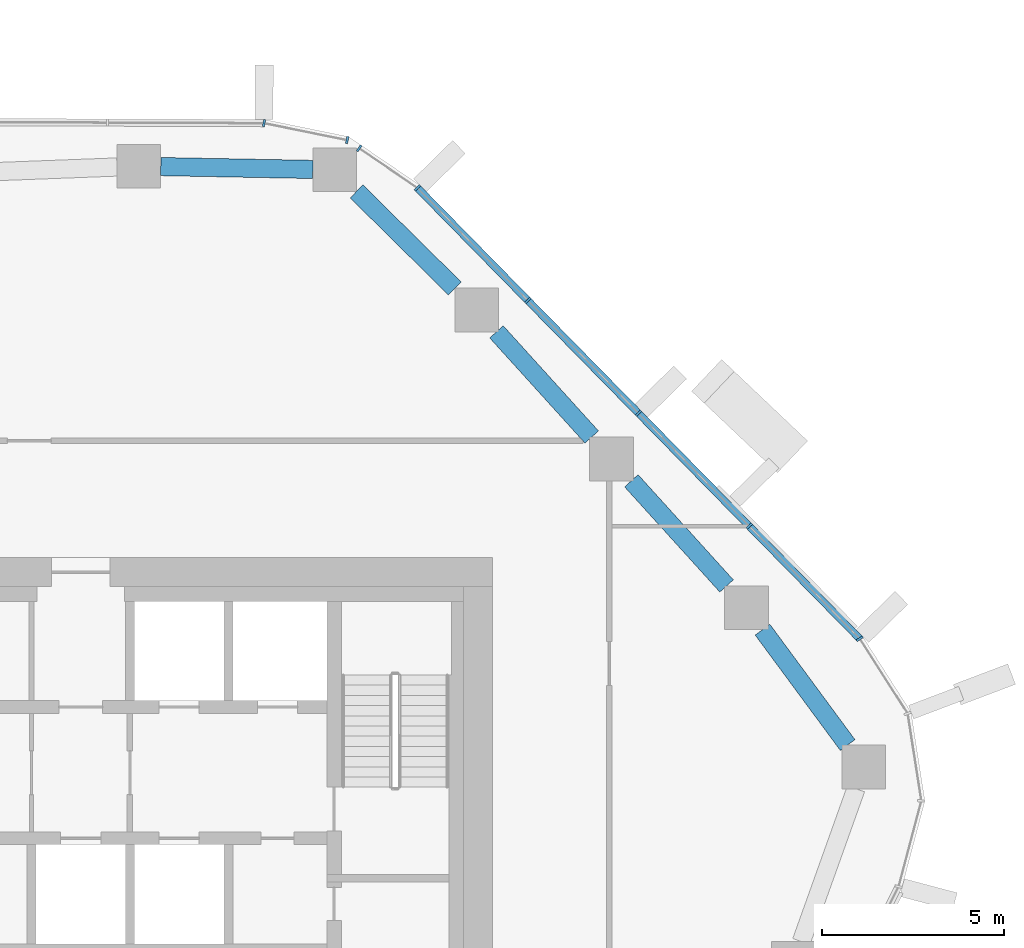
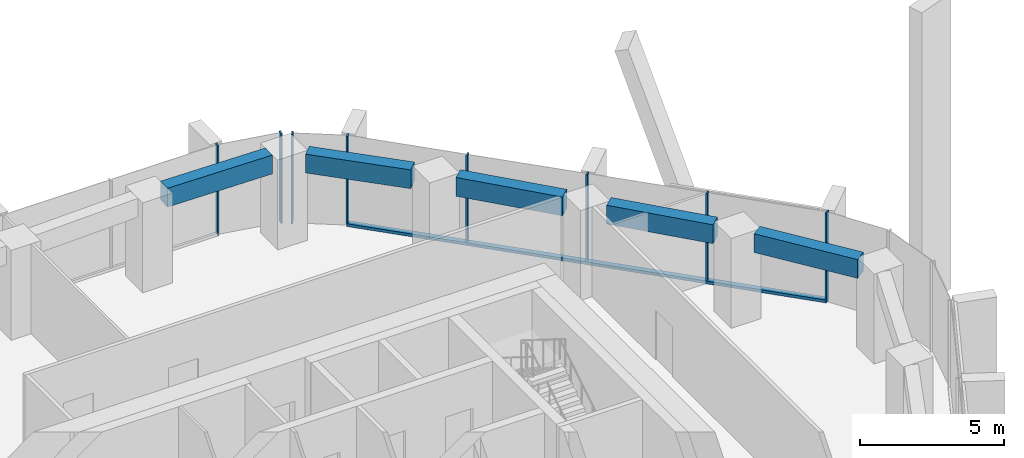
# One storey, part 6 of 19: 9 members, 5 beams, 4 elements without a shape of their own.
"""IFC4 building model written with IfcOpenShell, lengths in metres."""

import ifcopenshell
import ifcopenshell.guid

model = None  # the IFC model being written
_history = None  # IfcOwnerHistory: only IFC2X3 demands one
_inside = {}  # id of a spatial element -> (the spatial element, [elements in it])
_under = {}  # id of a project, library or spatial element -> (it, [spatial elements below it])
_declared = {}  # id of a project -> (the project, [libraries it declares])
_typed = {}  # id of a type object -> (the type object, [elements of that type])
_made_of = {}  # id of a material, layer set ... -> (it, [elements and type objects made of it])


def new_model(schema):
    """Start an empty IFC model of exactly this schema.

    Asked for "IFC4X3", IfcOpenShell would pick the latest addendum, in which some entities
    have other attributes; the version numbers below select the first issue.
    IFC2X3 requires an IfcOwnerHistory on every rooted entity: one is made here for all.
    """
    global model, _history
    if schema == "IFC4X3":
        model = ifcopenshell.file(schema_version=(4, 3, 0, 0))
    else:
        model = ifcopenshell.file(schema=schema)
    _inside.clear()
    _under.clear()
    _declared.clear()
    _typed.clear()
    _made_of.clear()
    _history = None
    if model.schema == "IFC2X3":
        org = make("IfcOrganization", Name="unknown")
        user = make(
            "IfcPersonAndOrganization",
            ThePerson=make("IfcPerson", FamilyName="unknown"),
            TheOrganization=org,
        )
        app = make(
            "IfcApplication",
            ApplicationDeveloper=org,
            Version="unknown",
            ApplicationFullName="unknown",
            ApplicationIdentifier="unknown",
        )
        _history = make(
            "IfcOwnerHistory",
            OwningUser=user,
            OwningApplication=app,
            ChangeAction="ADDED",
            CreationDate=0,
        )
    return model


def make(cls, **values):
    """One entity of the class cls with the attributes given. An attribute that is None is left unset."""
    return model.create_entity(
        cls, **{name: value for name, value in values.items() if value is not None}
    )


def rooted(cls, **values):
    """An entity with a GlobalId (a new one), such as an element, a storey or a relation."""
    return make(cls, GlobalId=ifcopenshell.guid.new(), OwnerHistory=_history, **values)


def si_unit(unit_type, name, prefix=None):
    """IfcSIUnit, for example si_unit("LENGTHUNIT", "METRE", prefix="MILLI")."""
    return make("IfcSIUnit", UnitType=unit_type, Prefix=prefix, Name=name)


def assignment(units):
    """IfcUnitAssignment: the units of a project."""
    return None if units is None else make("IfcUnitAssignment", Units=units)


def point(xyz):
    """IfcCartesianPoint."""
    return None if xyz is None else make("IfcCartesianPoint", Coordinates=xyz)


def direction(xyz):
    """IfcDirection."""
    return None if xyz is None else make("IfcDirection", DirectionRatios=xyz)


def frame(location, z_axis=None, x_axis=None):
    """IfcAxis2Placement3D, a coordinate frame: its origin and axes. An axis left out is left unset."""
    return make(
        "IfcAxis2Placement3D",
        Location=point(location),
        Axis=direction(z_axis),
        RefDirection=direction(x_axis),
    )


def frame_2d(location, x_axis=None):
    """IfcAxis2Placement2D, a coordinate frame in the plane: its origin and x axis."""
    return make(
        "IfcAxis2Placement2D", Location=point(location), RefDirection=direction(x_axis)
    )


def origin():
    """The frame at (0, 0, 0) with its axes left unset."""
    return frame((0.0, 0.0, 0.0))


def origin_2d():
    """The frame at (0, 0) in the plane with its x axis left unset."""
    return frame_2d((0.0, 0.0))


def place(relative_to, where):
    """IfcLocalPlacement: puts the frame where relative to a parent placement (None: the world)."""
    return make(
        "IfcLocalPlacement", PlacementRelTo=relative_to, RelativePlacement=where
    )


def context(
    kind, dimensions, precision=None, world=None, true_north=None, identifier=None
):
    """IfcGeometricRepresentationContext, for example the 3D "Model" context."""
    return make(
        "IfcGeometricRepresentationContext",
        ContextIdentifier=identifier,
        ContextType=kind,
        CoordinateSpaceDimension=dimensions,
        Precision=precision,
        WorldCoordinateSystem=world,
        TrueNorth=true_north,
    )


def subcontext(parent, identifier, kind, view, scale=None):
    """IfcGeometricRepresentationSubContext, for example "Body" below "Model"."""
    return make(
        "IfcGeometricRepresentationSubContext",
        ContextIdentifier=identifier,
        ContextType=kind,
        ParentContext=parent,
        TargetScale=scale,
        TargetView=view,
    )


def project(units=None, contexts=None):
    """IfcProject with its units and contexts."""
    return rooted(
        "IfcProject",
        Name="project",
        RepresentationContexts=contexts,
        UnitsInContext=assignment(units),
    )


def spatial(cls, under=None, at=None, **own):
    """A site, building, storey or space (cls), placed at a placement, below another one or the project."""
    s = rooted(cls, ObjectPlacement=at, **own)
    if under is not None:
        _under.setdefault(under.id(), (under, []))[1].append(s)
    return s


def profile(cls, at=None, kind="AREA", **sizes):
    """A parametric profile (cls). Its sizes go by their IFC names, for example OverallWidth=200.0."""
    return make(cls, ProfileType=kind, Position=at, **sizes)


def rectangle(**sizes):
    """IfcRectangleProfileDef."""
    return profile("IfcRectangleProfileDef", **sizes)


def extrude(swept, where, along, depth):
    """IfcExtrudedAreaSolid: the profile swept, set in the frame where, extruded along a direction by depth."""
    return make(
        "IfcExtrudedAreaSolid",
        SweptArea=swept,
        Position=where,
        ExtrudedDirection=direction(along),
        Depth=depth,
    )


def shape(context_of_items, identifier, shape_type, items):
    """IfcShapeRepresentation: the items that make up one representation, for example the "Body"."""
    return make(
        "IfcShapeRepresentation",
        ContextOfItems=context_of_items,
        RepresentationIdentifier=identifier,
        RepresentationType=shape_type,
        Items=items,
    )


def material(Name=None, Category=None):
    """IfcMaterial."""
    return make("IfcMaterial", Name=Name, Category=Category)


def layer(
    of_material, thickness, ventilated=None, Name=None, Category=None, Priority=None
):
    """IfcMaterialLayer: one layer of a wall or slab, of a material (None: an air gap)."""
    return make(
        "IfcMaterialLayer",
        Material=of_material,
        LayerThickness=thickness,
        IsVentilated=ventilated,
        Name=Name,
        Category=Category,
        Priority=Priority,
    )


def layer_set(layers, Name=None):
    """IfcMaterialLayerSet."""
    return make("IfcMaterialLayerSet", MaterialLayers=layers, LayerSetName=Name)


def material_profile(
    of_material, cross_section, Name=None, Category=None, Priority=None
):
    """IfcMaterialProfile: a cross section and its material."""
    return make(
        "IfcMaterialProfile",
        Name=Name,
        Material=of_material,
        Profile=cross_section,
        Priority=Priority,
        Category=Category,
    )


def profile_set(profiles, Name=None, composite=None):
    """IfcMaterialProfileSet."""
    return make(
        "IfcMaterialProfileSet",
        Name=Name,
        MaterialProfiles=profiles,
        CompositeProfile=composite,
    )


def made_of(thing, what):
    """Note that an element or type object is made of a material, layer set ...; save() writes the relation."""
    if what is not None:
        _made_of.setdefault(what.id(), (what, []))[1].append(thing)
    return thing


def type_object(cls, material=None, **own):
    """A type object (cls), such as IfcWallType, which elements share."""
    return made_of(rooted(cls, **own), material)


def element(
    cls,
    number,
    at=None,
    inside=None,
    cuts=None,
    type_object=None,
    material=None,
    context=None,
    identifier="Body",
    shape_type=None,
    held_by="IfcProductDefinitionShape",
    body=None,
    shapes=None,
    **own,
):
    """One element of the class cls, such as IfcWall. Its Tag is "e" and its number.

    at: its placement. inside: the storey or other place that contains it. cuts: it is an
    opening in that element (IfcRelVoidsElement). A single representation is given by context,
    identifier, shape_type and body (its items); several are given by shapes. held_by: the class
    of the entity that holds the representations. save() writes the other relations.
    """
    e = rooted(cls, Tag="e%d" % number, ObjectPlacement=at, **own)
    if body is not None:
        shapes = [shape(context, identifier, shape_type, body)]
    if shapes is not None:
        e.Representation = make(held_by, Representations=shapes)
    if inside is not None:
        _inside.setdefault(inside.id(), (inside, []))[1].append(e)
    if cuts is not None:
        rooted(
            "IfcRelVoidsElement", RelatingBuildingElement=cuts, RelatedOpeningElement=e
        )
    if type_object is not None:
        _typed.setdefault(type_object.id(), (type_object, []))[1].append(e)
    return made_of(e, material)


def aggregate(whole, parts):
    """IfcRelAggregates: a whole, such as a stair, and the parts it consists of."""
    return rooted("IfcRelAggregates", RelatingObject=whole, RelatedObjects=parts)


def save(model, path):
    """Write the relations noted so far, then the file.

    IfcRelAggregates (storeys below a building ...), IfcRelContainedInSpatialStructure (elements
    in a storey), IfcRelDefinesByType, IfcRelAssociatesMaterial and IfcRelDeclares: one each for
    every whole, place, type object, material and project.
    """
    for whole, parts in _under.values():
        aggregate(whole, parts)
    for where, things in _inside.values():
        rooted(
            "IfcRelContainedInSpatialStructure",
            RelatedElements=things,
            RelatingStructure=where,
        )
    for kind, things in _typed.values():
        rooted("IfcRelDefinesByType", RelatedObjects=things, RelatingType=kind)
    for what, things in _made_of.values():
        rooted("IfcRelAssociatesMaterial", RelatedObjects=things, RelatingMaterial=what)
    for by, libraries in _declared.values():
        rooted("IfcRelDeclares", RelatingContext=by, RelatedDefinitions=libraries)
    model.write(path)


model = new_model("IFC4")

# Units and contexts
model_context = context("Model", 3, precision=1e-05, world=origin(), true_north=direction((0.0, 1.0)))
body_context = subcontext(model_context, "Body", "Model", "MODEL_VIEW")
ifc_project = project(units=[si_unit("LENGTHUNIT", "METRE"), si_unit("AREAUNIT", "SQUARE_METRE"), si_unit("VOLUMEUNIT", "CUBIC_METRE"), si_unit("PLANEANGLEUNIT", "RADIAN"), si_unit("MASSUNIT", "GRAM", prefix="KILO")], contexts=[model_context])

# Site, building, storey
site_placement = place(None, origin())
site = spatial("IfcSite", under=ifc_project, at=site_placement, CompositionType="ELEMENT")
building_placement = place(site_placement, origin())
building = spatial("IfcBuilding", under=site, at=building_placement, Name="Dongbaek Canopy Tower", CompositionType="ELEMENT")
storey_placement = place(building_placement, frame((0.0, 0.0, 198.800048828125)))
storey = spatial("IfcBuildingStorey", under=building, at=storey_placement, Name="L41", CompositionType="ELEMENT", Elevation=198.800048828125)

# Curtain wall, member
ifc_material_1 = material(Name="Aluminium 6063-T6 pale anodised", Category="aluminium")
ifc_layer = layer(ifc_material_1, 0.199951171875)
ifc_layer_set = layer_set([ifc_layer], Name="CW-1 unitised tower curtain wall")
curtain_wall_type = type_object("IfcCurtainWallType", Name="CW-1 unitised tower curtain wall", PredefinedType="NOTDEFINED", material=ifc_layer_set)
curtain_wall_1_placement = place(storey_placement, origin())
curtain_wall_1 = element("IfcCurtainWall", 1, at=curtain_wall_1_placement, inside=storey, type_object=curtain_wall_type, Name="CW-1 curtain wall K0.1", PredefinedType="NOTDEFINED")
ifc_material_2 = material(Name="Aluminium 6063-T6 pale anodised", Category="aluminium")
ifc_material_profile_1 = material_profile(ifc_material_2, rectangle(XDim=0.199951171875, YDim=0.06005859375, at=origin_2d()), Name="CW-1 mullion 60 x 200")
ifc_profile_set_1 = profile_set([ifc_material_profile_1], Name="Aluminium 6063-T6 pale anodised")
member_type_1 = type_object("IfcMemberType", Name="CW-1 mullion 60 x 200", PredefinedType="MULLION", material=ifc_profile_set_1)
member_1_placement = place(storey_placement, frame((24.070068359375, 8.773681640625, 0.0), z_axis=(0.0, 0.0, 1.0), x_axis=(0.842497912004, 0.538699608566, 0.0)))
member_1 = element("IfcMember", 2, at=member_1_placement, type_object=member_type_1, Name="CW-1 mullion K0.1.4", PredefinedType="MULLION", context=body_context, shape_type="SweptSolid", body=[
    extrude(rectangle(XDim=0.199951171875, YDim=0.06005859375, at=origin_2d()), origin(), (0.0, 0.0, 1.0), 3.820068359375),
])
aggregate(curtain_wall_1, [member_1])

# Curtain wall, members
curtain_wall_2_placement = place(storey_placement, origin())
curtain_wall_2 = element("IfcCurtainWall", 3, at=curtain_wall_2_placement, inside=storey, type_object=curtain_wall_type, Name="CW-1 curtain wall F0.1", PredefinedType="NOTDEFINED")
member_2_placement = place(storey_placement, frame((21.039794921875, 11.862060546875, 0.119873046875), z_axis=(0.0, 0.0, 1.0), x_axis=(0.713782398301, 0.700367537709, 0.0)))
member_2 = element("IfcMember", 4, at=member_2_placement, type_object=member_type_1, Name="CW-1 mullion F0.1.2", PredefinedType="MULLION", context=body_context, shape_type="SweptSolid", body=[
    extrude(rectangle(XDim=0.199951171875, YDim=0.06005859375, at=origin_2d()), origin(), (0.0, 0.0, 1.0), 3.7001953125),
])
member_3_placement = place(storey_placement, frame((18.002197265625, 14.957763671875, 0.119873046875), z_axis=(0.0, 0.0, 1.0), x_axis=(0.713782398301, 0.700367537709, 0.0)))
member_3 = element("IfcMember", 5, at=member_3_placement, type_object=member_type_1, Name="CW-1 mullion F0.1.3", PredefinedType="MULLION", context=body_context, shape_type="SweptSolid", body=[
    extrude(rectangle(XDim=0.199951171875, YDim=0.06005859375, at=origin_2d()), origin(), (0.0, 0.0, 1.0), 3.7001953125),
])
member_4_placement = place(storey_placement, frame((14.96484375, 18.053466796875, 0.119873046875), z_axis=(0.0, 0.0, 1.0), x_axis=(0.713782398301, 0.700367537709, 0.0)))
member_4 = element("IfcMember", 6, at=member_4_placement, type_object=member_type_1, Name="CW-1 mullion F0.1.4", PredefinedType="MULLION", context=body_context, shape_type="SweptSolid", body=[
    extrude(rectangle(XDim=0.199951171875, YDim=0.06005859375, at=origin_2d()), origin(), (0.0, 0.0, 1.0), 3.7001953125),
])
member_5_placement = place(storey_placement, frame((11.93408203125, 21.14208984375, 0.119873046875), z_axis=(0.0, 0.0, 1.0), x_axis=(0.713782398301, 0.700367537709, 0.0)))
member_5 = element("IfcMember", 7, at=member_5_placement, type_object=member_type_1, Name="CW-1 mullion F0.1.5", PredefinedType="MULLION", context=body_context, shape_type="SweptSolid", body=[
    extrude(rectangle(XDim=0.199951171875, YDim=0.06005859375, at=origin_2d()), origin(), (0.0, 0.0, 1.0), 3.7001953125),
])

# Curtain wall, member
curtain_wall_3_placement = place(storey_placement, origin())
curtain_wall_3 = element("IfcCurtainWall", 8, at=curtain_wall_3_placement, inside=storey, type_object=curtain_wall_type, Name="CW-1 curtain wall K1.1a", PredefinedType="NOTDEFINED")
member_6_placement = place(storey_placement, frame((10.339111328125, 22.226318359375, 0.0), z_axis=(0.0, 0.0, 1.0), x_axis=(0.562231657706, 0.826979783957, 0.0)))
member_6 = element("IfcMember", 9, at=member_6_placement, type_object=member_type_1, Name="CW-1 mullion K1.1a.2", PredefinedType="MULLION", context=body_context, shape_type="SweptSolid", body=[
    extrude(rectangle(XDim=0.199951171875, YDim=0.06005859375, at=origin_2d()), origin(), (0.0, 0.0, 1.0), 3.820068359375),
])
aggregate(curtain_wall_3, [member_6])

# Curtain wall, members
curtain_wall_4_placement = place(storey_placement, origin())
curtain_wall_4 = element("IfcCurtainWall", 10, at=curtain_wall_4_placement, inside=storey, type_object=curtain_wall_type, Name="CW-1 curtain wall K1.1b", PredefinedType="NOTDEFINED")
member_7_placement = place(storey_placement, frame((10.0087890625, 22.450927734375, 0.0), z_axis=(0.0, 0.0, 1.0), x_axis=(0.200117259075, 0.979771954396, 0.0)))
member_7 = element("IfcMember", 11, at=member_7_placement, type_object=member_type_1, Name="CW-1 mullion K1.1b.1", PredefinedType="MULLION", context=body_context, shape_type="SweptSolid", body=[
    extrude(rectangle(XDim=0.199951171875, YDim=0.06005859375, at=origin_2d()), origin(), (0.0, 0.0, 1.0), 3.820068359375),
])
member_8_placement = place(storey_placement, frame((7.727783203125, 22.9169921875, 0.0), z_axis=(0.0, 0.0, 1.0), x_axis=(0.200117259075, 0.979771954396, 0.0)))
member_8 = element("IfcMember", 12, at=member_8_placement, type_object=member_type_1, Name="CW-1 mullion K1.1b.2", PredefinedType="MULLION", context=body_context, shape_type="SweptSolid", body=[
    extrude(rectangle(XDim=0.199951171875, YDim=0.06005859375, at=origin_2d()), origin(), (0.0, 0.0, 1.0), 3.820068359375),
])
aggregate(curtain_wall_4, [member_7, member_8])

# Member
ifc_material_3 = material(Name="Aluminium 6063-T6 pale anodised", Category="aluminium")
ifc_material_profile_2 = material_profile(ifc_material_3, rectangle(XDim=0.199951171875, YDim=0.1201171875, at=origin_2d()), Name="CW-1 transom 120 x 200")
ifc_profile_set_2 = profile_set([ifc_material_profile_2], Name="Aluminium 6063-T6 pale anodised")
member_type_2 = type_object("IfcMemberType", Name="CW-1 transom 120 x 200", PredefinedType="USERDEFINED", material=ifc_profile_set_2)
member_9_placement = place(storey_placement, frame((24.070068359375, 8.773681640625, 0.06005859375), z_axis=(-0.700368436874, 0.713781516033, 0.0), x_axis=(-0.713781516033, -0.700368436874, 0.0)))
member_9 = element("IfcMember", 13, at=member_9_placement, type_object=member_type_2, Name="CW-1 transom F0.1.1", ObjectType="TRANSOM", PredefinedType="USERDEFINED", context=body_context, shape_type="SweptSolid", body=[
    extrude(rectangle(XDim=0.199951171875, YDim=0.1201171875, at=origin_2d()), origin(), (0.0, 0.0, 1.0), 17.328125),
])

aggregate(curtain_wall_2, [member_2, member_3, member_4, member_5, member_9])

# Beams
ifc_material_4 = material(Name="Concrete C70", Category="concrete")
ifc_material_profile_3 = material_profile(ifc_material_4, rectangle(XDim=0.5, YDim=0.800048828125, at=origin_2d()), Name="RC EDGE BEAM 500x800 C70")
ifc_profile_set_3 = profile_set([ifc_material_profile_3], Name="Concrete C70")
beam_type = type_object("IfcBeamType", Name="RC EDGE BEAM 500x800 C70", PredefinedType="BEAM", material=ifc_profile_set_3)
beam_1_placement = place(storey_placement, frame((4.89501953125, 21.724609375, 3.419921875), z_axis=(0.999823523871, -0.018786194753, 0.0), x_axis=(0.018786194753, 0.999823523871, 0.0)))
element("IfcBeam", 14, at=beam_1_placement, inside=storey, type_object=beam_type, Name="EDGEBEAM:L41:16", PredefinedType="BEAM", context=body_context, shape_type="SweptSolid", body=[
    extrude(rectangle(XDim=0.5, YDim=0.800048828125, at=origin_2d()), origin(), (0.0, 0.0, 1.0), 4.171630859375),
])
beam_2_placement = place(storey_placement, frame((10.26611328125, 21.04296875, 3.419921875), z_axis=(0.711703560094, -0.702479923236, 0.0), x_axis=(0.702479923236, 0.711703560094, 0.0)))
element("IfcBeam", 15, at=beam_2_placement, inside=storey, type_object=beam_type, Name="EDGEBEAM:L41:17", PredefinedType="BEAM", context=body_context, shape_type="SweptSolid", body=[
    extrude(rectangle(XDim=0.5, YDim=0.800048828125, at=origin_2d()), origin(), (0.0, 0.0, 1.0), 3.78515625),
])
beam_3_placement = place(storey_placement, frame((14.103515625, 17.19189453125, 3.419921875), z_axis=(0.67132037677, -0.741167289978, 0.0), x_axis=(0.741167289978, 0.67132037677, 0.0)))
element("IfcBeam", 16, at=beam_3_placement, inside=storey, type_object=beam_type, Name="EDGEBEAM:L41:18", PredefinedType="BEAM", context=body_context, shape_type="SweptSolid", body=[
    extrude(rectangle(XDim=0.5, YDim=0.800048828125, at=origin_2d()), origin(), (0.0, 0.0, 1.0), 3.893798828125),
])
beam_4_placement = place(storey_placement, frame((17.80419921875, 13.10595703125, 3.419921875), z_axis=(0.671238468475, -0.741241471074, 0.0), x_axis=(0.741241471074, 0.671238468475, 0.0)))
element("IfcBeam", 17, at=beam_4_placement, inside=storey, type_object=beam_type, Name="EDGEBEAM:L41:19", PredefinedType="BEAM", context=body_context, shape_type="SweptSolid", body=[
    extrude(rectangle(XDim=0.5, YDim=0.800048828125, at=origin_2d()), origin(), (0.0, 0.0, 1.0), 3.89208984375),
])
beam_5_placement = place(storey_placement, frame((21.402587890625, 9.02099609375, 3.419921875), z_axis=(0.593743199573, -0.804654592332, 0.0), x_axis=(0.804654592332, 0.593743199573, 0.0)))
element("IfcBeam", 18, at=beam_5_placement, inside=storey, type_object=beam_type, Name="EDGEBEAM:L41:20", PredefinedType="BEAM", context=body_context, shape_type="SweptSolid", body=[
    extrude(rectangle(XDim=0.5, YDim=0.800048828125, at=origin_2d()), origin(), (0.0, 0.0, 1.0), 3.93212890625),
])

save(model, "model.ifc")
